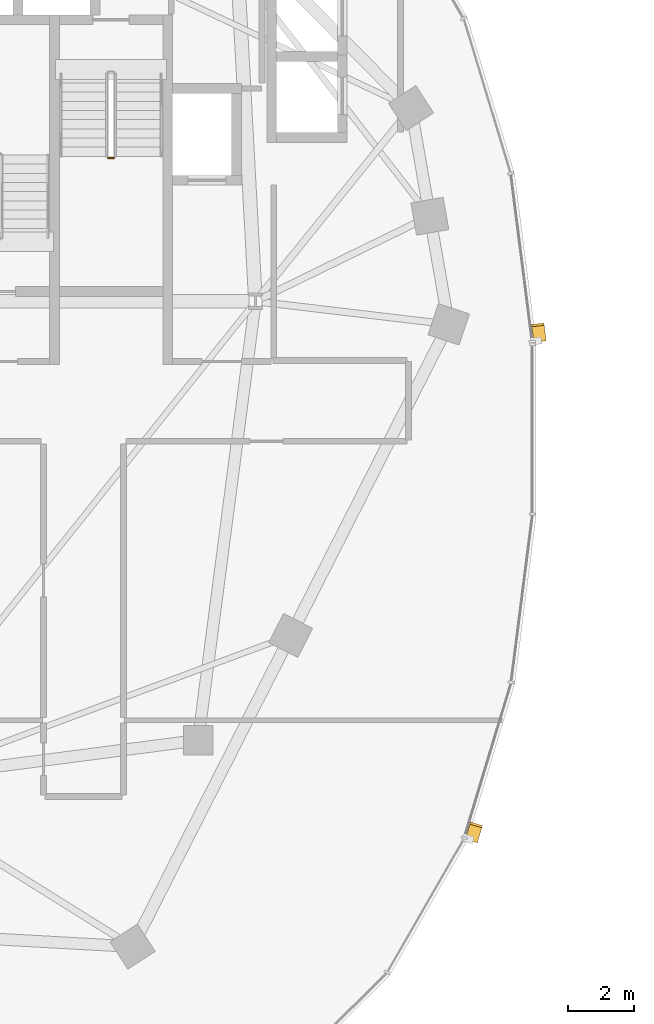
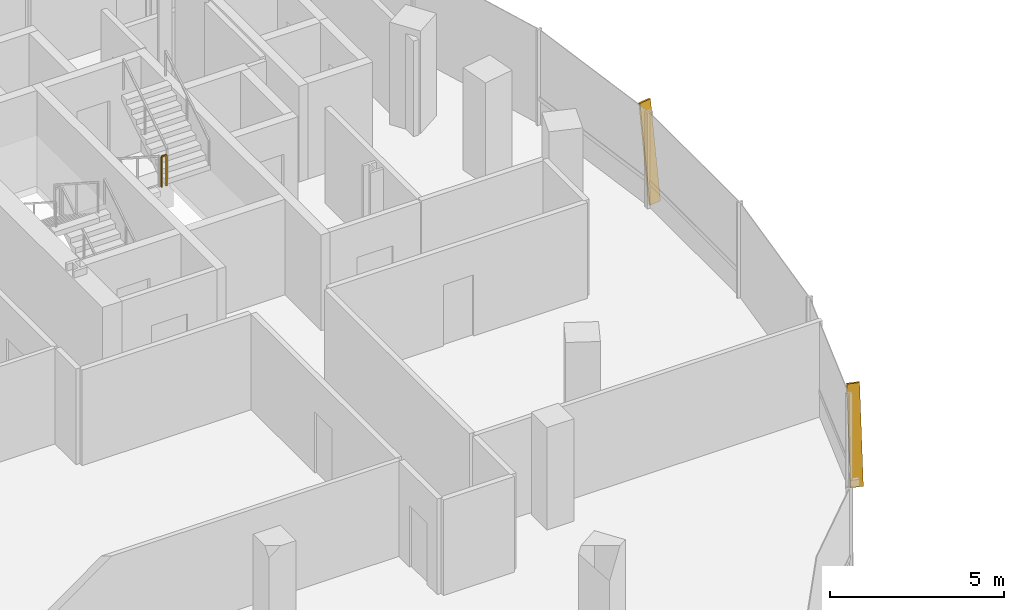
# One storey, part 19 of 22: 2 shading devices, 1 railing.
"""IFC4 building model written with IfcOpenShell, lengths in metres."""

from ifc_helpers import new_model, si_unit, direction, frame, origin, origin_2d, place, context, subcontext, project, spatial, rectangle, extrude, material, material_profile, profile_set, type_object, element, save


model = new_model("IFC4")

# Units and contexts
model_context = context("Model", 3, precision=1e-05, world=origin(), true_north=direction((0.0, 1.0)))
body_context = subcontext(model_context, "Body", "Model", "MODEL_VIEW")
ifc_project = project(units=[si_unit("LENGTHUNIT", "METRE"), si_unit("AREAUNIT", "SQUARE_METRE"), si_unit("VOLUMEUNIT", "CUBIC_METRE"), si_unit("PLANEANGLEUNIT", "RADIAN"), si_unit("MASSUNIT", "GRAM", prefix="KILO"), si_unit("THERMODYNAMICTEMPERATUREUNIT", "KELVIN"), si_unit("POWERUNIT", "WATT")], contexts=[model_context])

# Site, building, storey
site_placement = place(None, origin())
site = spatial("IfcSite", under=ifc_project, at=site_placement, CompositionType="ELEMENT")
building_placement = place(site_placement, origin())
building = spatial("IfcBuilding", under=site, at=building_placement, Name="Cundina Bronze Exchange", CompositionType="ELEMENT")
storey_placement = place(building_placement, frame((0.0, 0.0, 165.60009765625)))
storey = spatial("IfcBuildingStorey", under=building, at=storey_placement, Name="L43", CompositionType="ELEMENT", Elevation=165.60009765625)

# Railing
ifc_material_1 = material(Name="Steel ASTM A36 Painted", Category="steel")
railing_type = type_object("IfcRailingType", Name="RLG-STG-1100", PredefinedType="GUARDRAIL", material=ifc_material_1)
railing_placement = place(storey_placement, frame((-25.93994140625, 8.280029296875, 1.7998046875)))
element("IfcRailing", 1, at=railing_placement, inside=storey, type_object=railing_type, Name="L43 ST-W2 stair guard 2", PredefinedType="GUARDRAIL", context=body_context, shape_type="SweptSolid", body=[
    extrude(rectangle(XDim=0.048095703125, YDim=0.048095703125, at=origin_2d()), frame((0.0, 0.0, 1.076171875), z_axis=(1.0, 0.0, 0.0), x_axis=(0.0, 1.0, 0.0)), (0.0, 0.0, 1.0), 0.159912109375),
    extrude(rectangle(XDim=0.0419921875, YDim=0.0419921875, at=origin_2d()), origin(), (0.0, 0.0, 1.0), 1.052001953125),
    extrude(rectangle(XDim=0.0419921875, YDim=0.0419921875, at=origin_2d()), frame((0.159912109375, 0.0, 0.0)), (0.0, 0.0, 1.0), 1.052001953125),
])

# Shading devices
ifc_material_2 = material(Name="Anodised Bronze Aluminium 6063-T6", Category="aluminium")
ifc_material_profile = material_profile(ifc_material_2, rectangle(XDim=0.070068359375, YDim=0.3798828125, at=origin_2d()), Name="FIN70X380", Category="aluminium")
ifc_profile_set = profile_set([ifc_material_profile], Name="Anodised Bronze Aluminium 6063-T6")
shading_device_type = type_object("IfcShadingDeviceType", Name="SHD-FIN-BRZ380", PredefinedType="USERDEFINED", material=ifc_profile_set)
for number, where, z_axis, x_axis, name in (
    (2, (-12.76513671875, 2.705810546875, 0.02001953125), (-0.018123110499, 0.141927973785, 0.989711070527), (0.125360600332, -0.981739641151, 0.143080386066), "L43 Diagonal Bronze Solar Fin 1"),
    (3, (-14.848876953125, -12.5439453125, 0.02001953125), (0.041486383227, 0.136977847776, 0.989704980904), (-0.286882071994, -0.94721413946, 0.143122502684), "L43 Diagonal Bronze Solar Fin 5"),
):
    element("IfcShadingDevice", number, at=place(storey_placement, frame(where, z_axis=z_axis, x_axis=x_axis)), inside=storey, type_object=shading_device_type, Name=name, ObjectType="FIN", PredefinedType="USERDEFINED", context=body_context, shape_type="SweptSolid", body=[
        extrude(rectangle(XDim=0.070068359375, YDim=0.3798828125, at=origin_2d()), origin(), (0.0, 0.0, 1.0), 3.354248046875),
    ])

save(model, "model.ifc")
